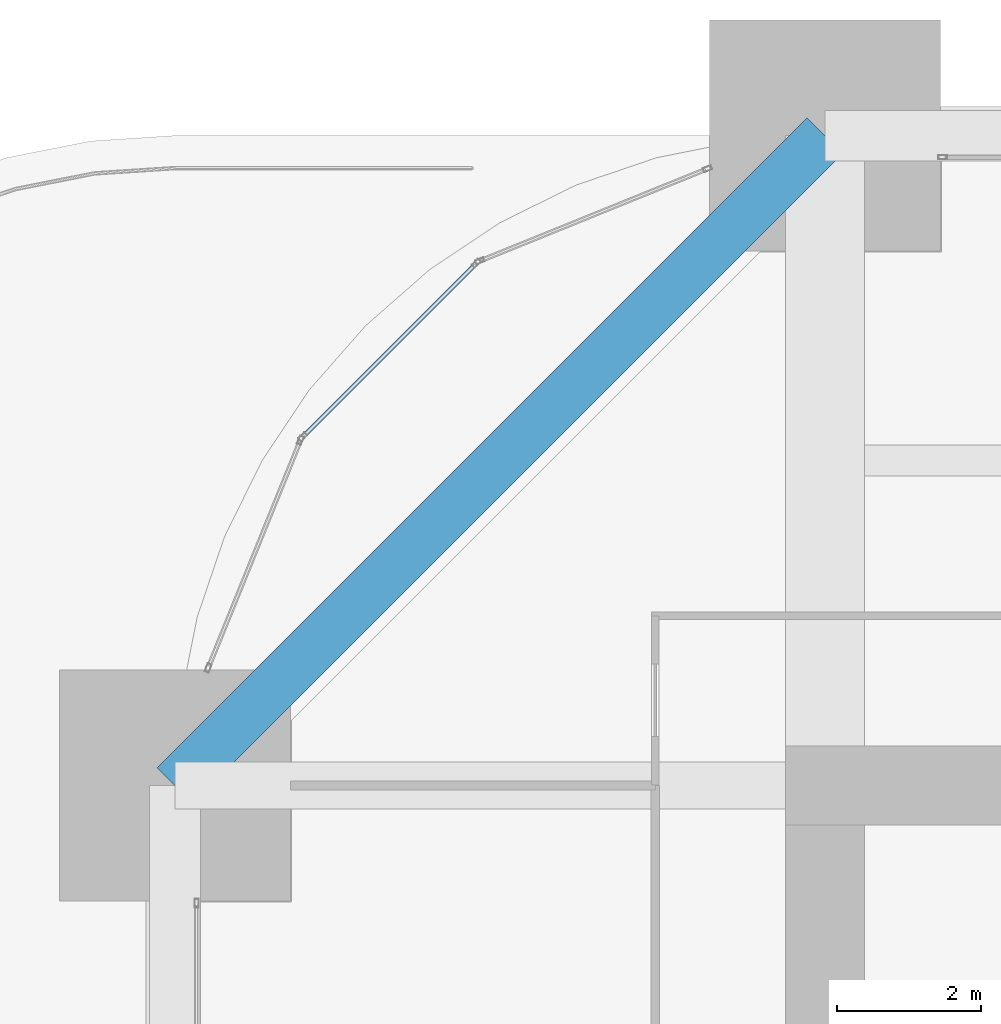
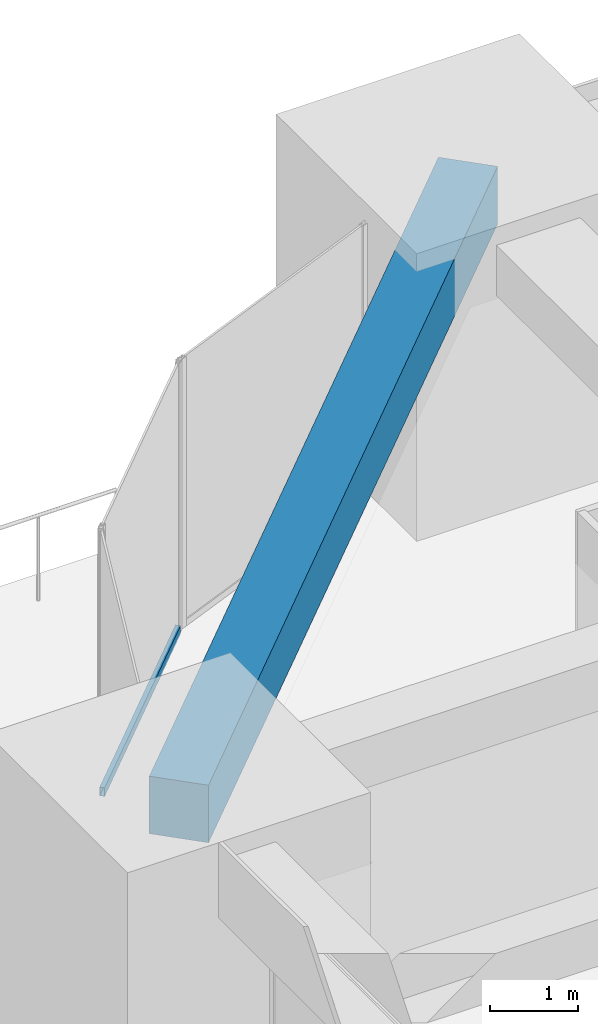
# One storey, part 24 of 40: 1 beam, 1 member, 1 element without a shape of its own.
"""IFC4 building model written with IfcOpenShell, lengths in metres."""

from ifc_helpers import new_model, si_unit, direction, frame, origin, origin_2d, place, context, subcontext, project, spatial, rectangle, hollow_rectangle, extrude, material, material_profile, profile_set, type_object, element, aggregate, save


model = new_model("IFC4")

# Units and contexts
model_context = context("Model", 3, precision=1e-05, world=origin(), true_north=direction((0.0, 1.0)))
body_context = subcontext(model_context, "Body", "Model", "MODEL_VIEW")
ifc_project = project(units=[si_unit("LENGTHUNIT", "METRE"), si_unit("AREAUNIT", "SQUARE_METRE"), si_unit("VOLUMEUNIT", "CUBIC_METRE"), si_unit("PLANEANGLEUNIT", "RADIAN"), si_unit("MASSUNIT", "GRAM", prefix="KILO")], contexts=[model_context])

# Site, building, storey
site_placement = place(None, origin())
site = spatial("IfcSite", under=ifc_project, at=site_placement, CompositionType="ELEMENT")
building_placement = place(site_placement, origin())
building = spatial("IfcBuilding", under=site, at=building_placement, Name="Zorevar Civic Tower", CompositionType="ELEMENT")
storey_placement = place(building_placement, frame((0.0, 0.0, 239.39990234375)))
storey = spatial("IfcBuildingStorey", under=building, at=storey_placement, Name="L58", CompositionType="ELEMENT", Elevation=239.39990234375)

# Curtain wall, member
ifc_material_1 = material(Name="Dark grey solar-control glass in black aluminium frame", Category="aluminium")
curtain_wall_type = type_object("IfcCurtainWallType", Name="Curtain wall CW5 top zone", PredefinedType="NOTDEFINED", material=ifc_material_1)
curtain_wall_placement = place(storey_placement, origin())
curtain_wall = element("IfcCurtainWall", 1, at=curtain_wall_placement, inside=storey, type_object=curtain_wall_type, Name="CW5 L58", PredefinedType="NOTDEFINED")
ifc_material_2 = material(Name="Aluminium, black anodised", Category="aluminium")
ifc_material_profile_1 = material_profile(ifc_material_2, hollow_rectangle(XDim=0.06005859375, YDim=0.1201171875, WallThickness=0.0029296875, at=origin_2d()), Name="AL 120x60x3")
ifc_profile_set_1 = profile_set([ifc_material_profile_1], Name="Aluminium, black anodised")
member_type = type_object("IfcMemberType", Name="CW5 transom AL 120x60x3", PredefinedType="USERDEFINED", material=ifc_profile_set_1)
member_placement = place(storey_placement, frame((13.151611328125, 43.209716796875, 0.030029296875), z_axis=(-0.707106781187, -0.707106781187, 0.0), x_axis=(0.707106781187, -0.707106781187, 0.0)))
member = element("IfcMember", 2, at=member_placement, type_object=member_type, Name="CW5 sill transom", ObjectType="TRANSOM", PredefinedType="USERDEFINED", context=body_context, shape_type="SweptSolid", body=[
    extrude(hollow_rectangle(XDim=0.06005859375, YDim=0.1201171875, WallThickness=0.0029296875, at=origin_2d()), origin(), (0.0, 0.0, 1.0), 3.33935546875),
])
aggregate(curtain_wall, [member])

# Beam
ifc_material_3 = material(Name="Concrete C50/60", Category="concrete")
ifc_material_profile_2 = material_profile(ifc_material_3, rectangle(XDim=0.699951171875, YDim=0.800048828125, at=origin_2d()), Name="RC 700x800")
ifc_profile_set_2 = profile_set([ifc_material_profile_2], Name="Concrete C50/60")
beam_type = type_object("IfcBeamType", Name="Edge beam RC 700x800", PredefinedType="SPANDREL", material=ifc_profile_set_2)
beam_placement = place(storey_placement, frame((18.0, 45.0, 3.35009765625), z_axis=(-0.707106781187, -0.707106781187, 0.0), x_axis=(0.707106781187, -0.707106781187, 0.0)))
element("IfcBeam", 3, at=beam_placement, inside=storey, type_object=beam_type, Name="Corner edge beam L59", PredefinedType="SPANDREL", context=body_context, shape_type="SweptSolid", body=[
    extrude(rectangle(XDim=0.699951171875, YDim=0.800048828125, at=origin_2d()), origin(), (0.0, 0.0, 1.0), 12.72802734375),
])

save(model, "model.ifc")
